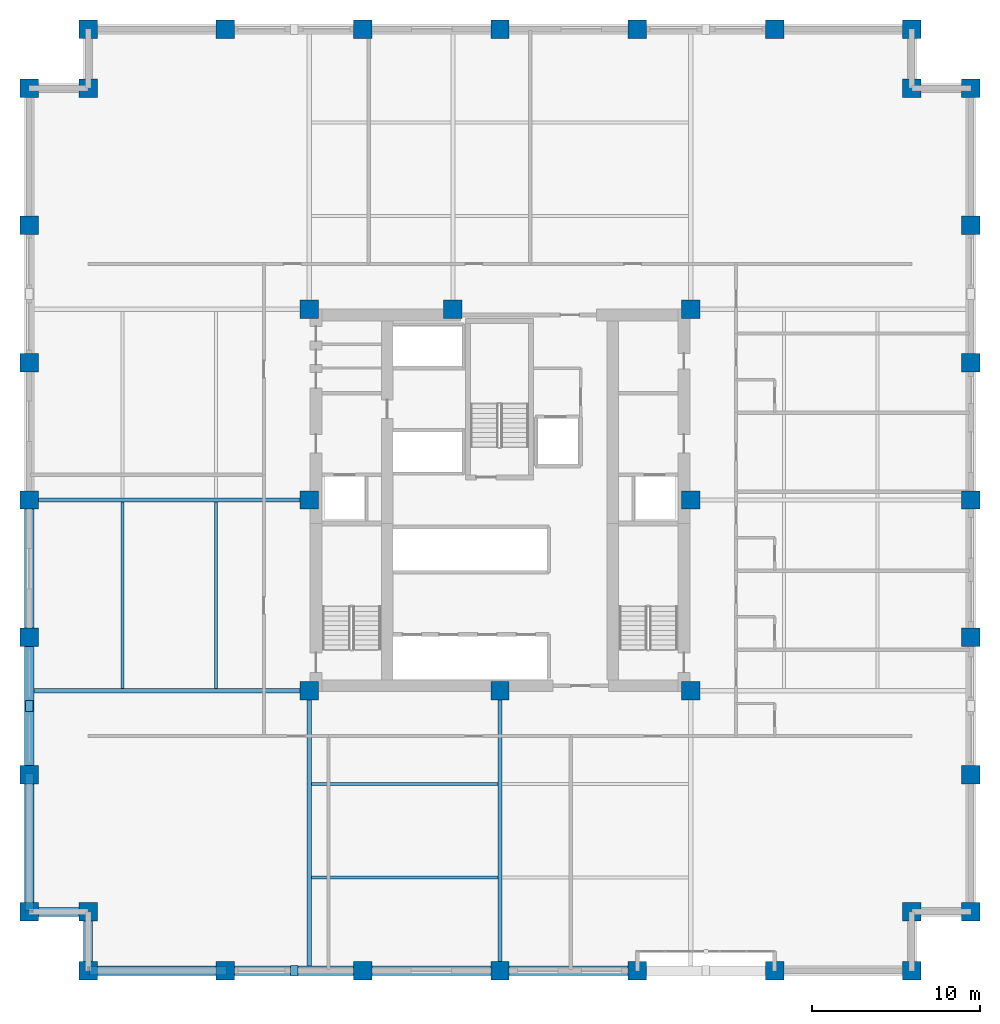
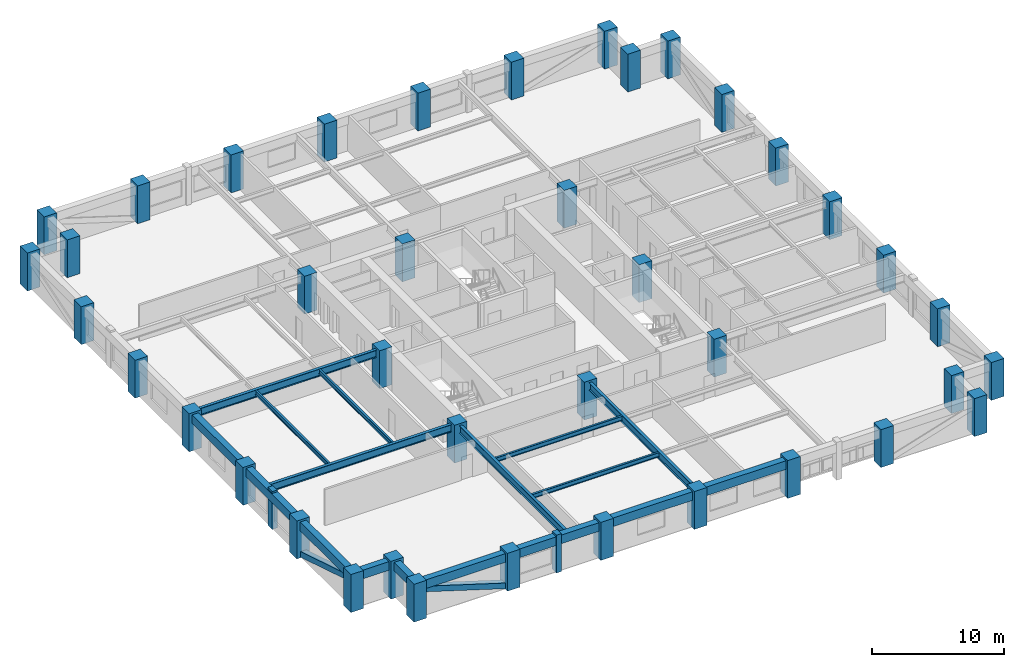
# One storey, part 1 of 9: 40 columns, 17 beams, 4 members.
"""IFC4 building model written with IfcOpenShell, lengths in metres."""

from ifc_helpers import new_model, si_unit, direction, frame, origin, origin_2d, place, context, subcontext, project, spatial, rectangle, hollow_rectangle, i_section, extrude, material, material_profile, profile_set, type_object, element, save


model = new_model("IFC4")

# Units and contexts
model_context = context("Model", 3, precision=1e-05, world=origin(), true_north=direction((0.0, 1.0)))
body_context = subcontext(model_context, "Body", "Model", "MODEL_VIEW")
ifc_project = project(units=[si_unit("LENGTHUNIT", "METRE"), si_unit("AREAUNIT", "SQUARE_METRE"), si_unit("VOLUMEUNIT", "CUBIC_METRE"), si_unit("PLANEANGLEUNIT", "RADIAN"), si_unit("MASSUNIT", "GRAM", prefix="KILO")], contexts=[model_context])

# Site, building, storey
site_placement = place(None, origin())
site = spatial("IfcSite", under=ifc_project, at=site_placement, CompositionType="ELEMENT")
building_placement = place(site_placement, origin())
building = spatial("IfcBuilding", under=site, at=building_placement, Name="Nhamokura Convention Tower", CompositionType="ELEMENT")
storey_placement = place(building_placement, frame((0.0, 0.0, 66.85009765625)))
storey = spatial("IfcBuildingStorey", under=building, at=storey_placement, Name="L15", CompositionType="ELEMENT", Elevation=66.85009765625)

# Columns
ifc_material_1 = material(Name="Concrete C60/75", Category="concrete")
ifc_material_profile_1 = material_profile(ifc_material_1, rectangle(XDim=1.10009765625, YDim=1.10009765625, at=origin_2d()))
ifc_profile_set_1 = profile_set([ifc_material_profile_1], Name="Concrete C60/75")
column_type = type_object("IfcColumnType", Name="TubeColumn_Z1_1100", PredefinedType="COLUMN", material=ifc_profile_set_1)
for number, where, z_axis, x_axis, name in (
    (1, (20.64990234375, 20.64990234375, 0.0), (0.0, 0.0, 1.0), (1.0, 0.0, 0.0), "L15 Core Column CC-SW"),
    (2, (32.0, 20.64990234375, 0.0), (0.0, 0.0, 1.0), (1.0, 0.0, 0.0), "L15 Core Column CC-S"),
    (3, (43.35009765625, 20.64990234375, 0.0), (0.0, 0.0, 1.0), (1.0, 0.0, 0.0), "L15 Core Column CC-SE"),
    (4, (43.35009765625, 32.0, 0.0), (0.0, 0.0, 1.0), (1.0, 0.0, 0.0), "L15 Core Column CC-E"),
    (5, (43.35009765625, 43.35009765625, 0.0), (0.0, 0.0, 1.0), (1.0, 0.0, 0.0), "L15 Core Column CC-NE"),
    (6, (29.199951171875, 43.35009765625, 0.0), (0.0, 0.0, 1.0), (1.0, 0.0, 0.0), "L15 Core Column CC-N"),
    (7, (20.64990234375, 43.35009765625, 0.0), (0.0, 0.0, 1.0), (1.0, 0.0, 0.0), "L15 Core Column CC-NW"),
    (8, (20.64990234375, 32.0, 0.0), (0.0, 0.0, 1.0), (1.0, 0.0, 0.0), "L15 Core Column CC-W"),
    (9, (7.5, 4.0, 0.0), (0.0, 0.0, 1.0), (1.0, 0.0, 0.0), "L15 Perimeter Tube Column SW1"),
    (10, (7.5, 7.5, 0.0), (0.0, 0.0, 1.0), (1.0, 0.0, 0.0), "L15 Perimeter Tube Column SW0"),
    (11, (4.0, 7.5, 0.0), (0.0, 0.0, 1.0), (1.0, 0.0, 0.0), "L15 Perimeter Tube Column SW2"),
    (12, (56.5, 4.0, 0.0), (0.0, 0.0, 1.0), (1.0, 0.0, 0.0), "L15 Perimeter Tube Column SE1"),
    (13, (56.5, 7.5, 0.0), (0.0, 0.0, 1.0), (1.0, 0.0, 0.0), "L15 Perimeter Tube Column SE0"),
    (14, (60.0, 7.5, 0.0), (0.0, 0.0, 1.0), (1.0, 0.0, 0.0), "L15 Perimeter Tube Column SE2"),
    (15, (60.0, 56.5, 0.0), (0.0, 0.0, 1.0), (1.0, 0.0, 0.0), "L15 Perimeter Tube Column NE1"),
    (16, (56.5, 56.5, 0.0), (0.0, 0.0, 1.0), (1.0, 0.0, 0.0), "L15 Perimeter Tube Column NE0"),
    (17, (56.5, 60.0, 0.0), (0.0, 0.0, 1.0), (1.0, 0.0, 0.0), "L15 Perimeter Tube Column NE2"),
    (18, (7.5, 60.0, 0.0), (0.0, 0.0, 1.0), (1.0, 0.0, 0.0), "L15 Perimeter Tube Column NW1"),
    (19, (7.5, 56.5, 0.0), (0.0, 0.0, 1.0), (1.0, 0.0, 0.0), "L15 Perimeter Tube Column NW0"),
    (20, (4.0, 56.5, 0.0), (0.0, 0.0, 1.0), (1.0, 0.0, 0.0), "L15 Perimeter Tube Column NW2"),
    (21, (15.666748046875, 4.0, 0.0), (0.0, 0.0, 1.0), (1.0, 0.0, 0.0), "L15 Perimeter Tube Column S1"),
    (22, (15.666748046875, 60.0, 0.0), (0.0, 0.0, 1.0), (1.0, 0.0, 0.0), "L15 Perimeter Tube Column N1"),
    (23, (4.0, 15.666748046875, 0.0), (0.0, 0.0, 1.0), (1.0, 0.0, 0.0), "L15 Perimeter Tube Column W1"),
    (24, (60.0, 15.666748046875, 0.0), (0.0, 0.0, 1.0), (1.0, 0.0, 0.0), "L15 Perimeter Tube Column E1"),
    (25, (23.833251953125, 4.0, 0.0), (0.0, 0.0, 1.0), (1.0, 0.0, 0.0), "L15 Perimeter Tube Column S2"),
    (26, (23.833251953125, 60.0, 0.0), (0.0, 0.0, 1.0), (1.0, 0.0, 0.0), "L15 Perimeter Tube Column N2"),
    (27, (4.0, 23.833251953125, 0.0), (0.0, 0.0, 1.0), (1.0, 0.0, 0.0), "L15 Perimeter Tube Column W2"),
    (28, (60.0, 23.833251953125, 0.0), (0.0, 0.0, 1.0), (1.0, 0.0, 0.0), "L15 Perimeter Tube Column E2"),
    (29, (32.0, 4.0, 0.0), (0.0, 0.0, 1.0), (1.0, 0.0, 0.0), "L15 Perimeter Tube Column S3"),
    (30, (32.0, 60.0, 0.0), (0.0, 0.0, 1.0), (1.0, 0.0, 0.0), "L15 Perimeter Tube Column N3"),
    (31, (4.0, 32.0, 0.0), (0.0, 0.0, 1.0), (1.0, 0.0, 0.0), "L15 Perimeter Tube Column W3"),
    (32, (60.0, 32.0, 0.0), (0.0, 0.0, 1.0), (1.0, 0.0, 0.0), "L15 Perimeter Tube Column E3"),
    (33, (40.166748046875, 4.0, 0.0), (0.0, 0.0, 1.0), (1.0, 0.0, 0.0), "L15 Perimeter Tube Column S4"),
    (34, (40.166748046875, 60.0, 0.0), (0.0, 0.0, 1.0), (1.0, 0.0, 0.0), "L15 Perimeter Tube Column N4"),
    (35, (4.0, 40.166748046875, 0.0), (0.0, 0.0, 1.0), (1.0, 0.0, 0.0), "L15 Perimeter Tube Column W4"),
    (36, (60.0, 40.166748046875, 0.0), (0.0, 0.0, 1.0), (1.0, 0.0, 0.0), "L15 Perimeter Tube Column E4"),
    (37, (48.333251953125, 4.0, 0.0), (0.0, 0.0, 1.0), (1.0, 0.0, 0.0), "L15 Perimeter Tube Column S5"),
    (38, (48.333251953125, 60.0, 0.0), (0.0, 0.0, 1.0), (1.0, 0.0, 0.0), "L15 Perimeter Tube Column N5"),
    (39, (4.0, 48.333251953125, 0.0), (0.0, 0.0, 1.0), (1.0, 0.0, 0.0), "L15 Perimeter Tube Column W5"),
    (40, (60.0, 48.333251953125, 0.0), (0.0, 0.0, 1.0), (1.0, 0.0, 0.0), "L15 Perimeter Tube Column E5"),
):
    element("IfcColumn", number, at=place(storey_placement, frame(where, z_axis=z_axis, x_axis=x_axis)), inside=storey, type_object=column_type, Name=name, PredefinedType="COLUMN", context=body_context, shape_type="SweptSolid", body=[
        extrude(rectangle(XDim=1.10009765625, YDim=1.10009765625, at=origin_2d()), origin(), (0.0, 0.0, 1.0), 3.5),
    ])

# Members
ifc_material_2 = material(Name="Bronze-pigmented precast concrete C45/55", Category="concrete")
ifc_material_profile_2 = material_profile(ifc_material_2, rectangle(XDim=0.449951171875, YDim=0.64990234375, at=origin_2d()))
ifc_profile_set_2 = profile_set([ifc_material_profile_2], Name="Bronze-pigmented precast concrete C45/55")
member_type_1 = type_object("IfcMemberType", Name="BronzePilaster_650", PredefinedType="USERDEFINED", material=ifc_profile_set_2)
for number, where, z_axis, x_axis, name in (
    (41, (19.75, 4.0, 0.0), (0.0, 0.0, 1.0), (1.0, 0.0, 0.0), "L15 Engaged Frame Pilaster SOUTH 1"),
    (42, (4.0, 19.75, 0.0), (0.0, 0.0, 1.0), (1.0, 0.0, 0.0), "L15 Engaged Frame Pilaster WEST 1"),
):
    element("IfcMember", number, at=place(storey_placement, frame(where, z_axis=z_axis, x_axis=x_axis)), inside=storey, type_object=member_type_1, Name=name, ObjectType="PILASTER_TRIM", PredefinedType="USERDEFINED", context=body_context, shape_type="SweptSolid", body=[
        extrude(rectangle(XDim=0.449951171875, YDim=0.64990234375, at=origin_2d()), origin(), (0.0, 0.0, 1.0), 3.5),
    ])

# Beams
ifc_material_3 = material(Name="Steel ASTM A992 Gr 50", Category="steel")
ifc_material_profile_3 = material_profile(ifc_material_3, i_section(OverallWidth=0.178955078125, OverallDepth=0.409912109375, WebThickness=0.0087890625, FlangeThickness=0.014404296875, at=origin_2d()))
ifc_profile_set_3 = profile_set([ifc_material_profile_3], Name="Steel ASTM A992 Gr 50")
beam_type_1 = type_object("IfcBeamType", Name="FloorJoist_W410X67", PredefinedType="JOIST", material=ifc_profile_set_3)
for number, where, z_axis, x_axis, name in (
    (43, (20.77587890625, 9.550048828125, 3.114990234375), (1.0, 0.0, 0.0), (0.0, 1.0, 0.0), "L15 Composite Floor Joist S1A"),
    (44, (20.77587890625, 15.10009765625, 3.114990234375), (1.0, 0.0, 0.0), (0.0, 1.0, 0.0), "L15 Composite Floor Joist S2A"),
    (45, (9.550048828125, 20.77587890625, 3.114990234375), (0.0, 1.0, 0.0), (-1.0, 0.0, 0.0), "L15 Composite Floor Joist W1A"),
    (46, (15.10009765625, 20.77587890625, 3.114990234375), (0.0, 1.0, 0.0), (-1.0, 0.0, 0.0), "L15 Composite Floor Joist W2A"),
):
    element("IfcBeam", number, at=place(storey_placement, frame(where, z_axis=z_axis, x_axis=x_axis)), inside=storey, type_object=beam_type_1, Name=name, PredefinedType="JOIST", context=body_context, shape_type="SweptSolid", body=[
        extrude(i_section(OverallWidth=0.178955078125, OverallDepth=0.409912109375, WebThickness=0.0087890625, FlangeThickness=0.014404296875, at=origin_2d()), origin(), (0.0, 0.0, 1.0), 11.09814453125),
    ])
ifc_material_4 = material(Name="Steel ASTM A992 Gr 50", Category="steel")
ifc_material_profile_4 = material_profile(ifc_material_4, i_section(OverallWidth=0.256103515625, OverallDepth=0.693115234375, WebThickness=0.014404296875, FlangeThickness=0.023681640625, at=origin_2d()))
ifc_profile_set_4 = profile_set([ifc_material_profile_4], Name="Steel ASTM A992 Gr 50")
beam_type_2 = type_object("IfcBeamType", Name="PrimaryGirder_W690X170", PredefinedType="BEAM", material=ifc_profile_set_4)
for number, where, z_axis, x_axis, name in (
    (47, (20.64990234375, 4.0, 2.973388671875), (0.0, 1.0, 0.0), (-1.0, 0.0, 0.0), "L15 Primary Floor Girder PG-S1"),
    (48, (32.0, 4.0, 2.973388671875), (0.0, 1.0, 0.0), (-1.0, 0.0, 0.0), "L15 Primary Floor Girder PG-S2"),
    (49, (4.0, 20.64990234375, 2.973388671875), (1.0, 0.0, 0.0), (0.0, 1.0, 0.0), "L15 Primary Floor Girder PG-W1"),
    (50, (4.0, 32.0, 2.973388671875), (1.0, 0.0, 0.0), (0.0, 1.0, 0.0), "L15 Primary Floor Girder PG-W2"),
):
    element("IfcBeam", number, at=place(storey_placement, frame(where, z_axis=z_axis, x_axis=x_axis)), inside=storey, type_object=beam_type_2, Name=name, PredefinedType="BEAM", context=body_context, shape_type="SweptSolid", body=[
        extrude(i_section(OverallWidth=0.256103515625, OverallDepth=0.693115234375, WebThickness=0.014404296875, FlangeThickness=0.023681640625, at=origin_2d()), origin(), (0.0, 0.0, 1.0), 16.64990234375),
    ])

# Members
ifc_material_5 = material(Name="Steel ASTM A572 Gr 50", Category="steel")
ifc_material_profile_5 = material_profile(ifc_material_5, hollow_rectangle(XDim=0.5, YDim=0.5, WallThickness=0.02490234375, at=origin_2d()))
ifc_profile_set_5 = profile_set([ifc_material_profile_5], Name="Steel ASTM A572 Gr 50")
member_type_2 = type_object("IfcMemberType", Name="TubeBrace_HSS500", PredefinedType="BRACE", material=ifc_profile_set_5)
for number, where, z_axis, x_axis, name in (
    (51, (15.666748046875, 4.0, 0.14990234375), (-0.955542765986, 0.0, 0.294852543437), (0.0, -1.0, 0.0), "L15 Perimeter Tube Brace SOUTH Bay 0"),
    (52, (4.0, 15.666748046875, 0.14990234375), (0.0, -0.955542765986, 0.294852543437), (1.0, 0.0, 0.0), "L15 Perimeter Tube Brace WEST Bay 0"),
):
    element("IfcMember", number, at=place(storey_placement, frame(where, z_axis=z_axis, x_axis=x_axis)), inside=storey, type_object=member_type_2, Name=name, PredefinedType="BRACE", context=body_context, shape_type="SweptSolid", body=[
        extrude(hollow_rectangle(XDim=0.5, YDim=0.5, WallThickness=0.02490234375, at=origin_2d()), origin(), (0.0, 0.0, 1.0), 8.546630859375),
    ])

# Beams
ifc_material_6 = material(Name="Concrete C50/60", Category="concrete")
ifc_material_profile_6 = material_profile(ifc_material_6, rectangle(XDim=0.550048828125, YDim=0.800048828125, at=origin_2d()))
ifc_profile_set_6 = profile_set([ifc_material_profile_6], Name="Concrete C50/60")
beam_type_3 = type_object("IfcBeamType", Name="TubeSpandrel_800", PredefinedType="SPANDREL", material=ifc_profile_set_6)
beam_1_placement = place(storey_placement, frame((7.5, 4.0, 2.919921875), z_axis=(1.0, 0.0, 0.0), x_axis=(0.0, 1.0, 0.0)))
element("IfcBeam", 53, at=beam_1_placement, inside=storey, type_object=beam_type_3, Name="L15 Perimeter Spandrel SOUTH 1", PredefinedType="SPANDREL", context=body_context, shape_type="SweptSolid", body=[
    extrude(rectangle(XDim=0.550048828125, YDim=0.800048828125, at=origin_2d()), origin(), (0.0, 0.0, 1.0), 8.166748046875),
])
beam_2_placement = place(storey_placement, frame((15.666748046875, 4.0, 2.919921875), z_axis=(1.0, 0.0, 0.0), x_axis=(0.0, 1.0, 0.0)))
element("IfcBeam", 54, at=beam_2_placement, inside=storey, type_object=beam_type_3, Name="L15 Perimeter Spandrel SOUTH 2", PredefinedType="SPANDREL", context=body_context, shape_type="SweptSolid", body=[
    extrude(rectangle(XDim=0.550048828125, YDim=0.800048828125, at=origin_2d()), origin(), (0.0, 0.0, 1.0), 8.16650390625),
])
for number, where, z_axis, x_axis, name in (
    (55, (23.833251953125, 4.0, 2.919921875), (1.0, 0.0, 0.0), (0.0, 1.0, 0.0), "L15 Perimeter Spandrel SOUTH 3"),
    (56, (32.0, 4.0, 2.919921875), (1.0, 0.0, 0.0), (0.0, 1.0, 0.0), "L15 Perimeter Spandrel SOUTH 4"),
    (57, (4.0, 7.5, 2.919921875), (0.0, 1.0, 0.0), (-1.0, 0.0, 0.0), "L15 Perimeter Spandrel WEST 1"),
):
    element("IfcBeam", number, at=place(storey_placement, frame(where, z_axis=z_axis, x_axis=x_axis)), inside=storey, type_object=beam_type_3, Name=name, PredefinedType="SPANDREL", context=body_context, shape_type="SweptSolid", body=[
        extrude(rectangle(XDim=0.550048828125, YDim=0.800048828125, at=origin_2d()), origin(), (0.0, 0.0, 1.0), 8.166748046875),
    ])
beam_3_placement = place(storey_placement, frame((4.0, 15.666748046875, 2.919921875), z_axis=(0.0, 1.0, 0.0), x_axis=(-1.0, 0.0, 0.0)))
element("IfcBeam", 58, at=beam_3_placement, inside=storey, type_object=beam_type_3, Name="L15 Perimeter Spandrel WEST 2", PredefinedType="SPANDREL", context=body_context, shape_type="SweptSolid", body=[
    extrude(rectangle(XDim=0.550048828125, YDim=0.800048828125, at=origin_2d()), origin(), (0.0, 0.0, 1.0), 8.16650390625),
])
beam_4_placement = place(storey_placement, frame((4.0, 23.833251953125, 2.919921875), z_axis=(0.0, 1.0, 0.0), x_axis=(-1.0, 0.0, 0.0)))
element("IfcBeam", 59, at=beam_4_placement, inside=storey, type_object=beam_type_3, Name="L15 Perimeter Spandrel WEST 3", PredefinedType="SPANDREL", context=body_context, shape_type="SweptSolid", body=[
    extrude(rectangle(XDim=0.550048828125, YDim=0.800048828125, at=origin_2d()), origin(), (0.0, 0.0, 1.0), 8.166748046875),
])
for number, where, z_axis, x_axis, name in (
    (60, (7.5, 4.0, 2.919921875), (0.0, 1.0, 0.0), (-1.0, 0.0, 0.0), "L15 Notch Spandrel SW1"),
    (61, (7.5, 7.5, 2.919921875), (-1.0, 0.0, 0.0), (0.0, -1.0, 0.0), "L15 Notch Spandrel SW2"),
):
    element("IfcBeam", number, at=place(storey_placement, frame(where, z_axis=z_axis, x_axis=x_axis)), inside=storey, type_object=beam_type_3, Name=name, PredefinedType="SPANDREL", context=body_context, shape_type="SweptSolid", body=[
        extrude(rectangle(XDim=0.550048828125, YDim=0.800048828125, at=origin_2d()), origin(), (0.0, 0.0, 1.0), 3.5),
    ])

save(model, "model.ifc")
